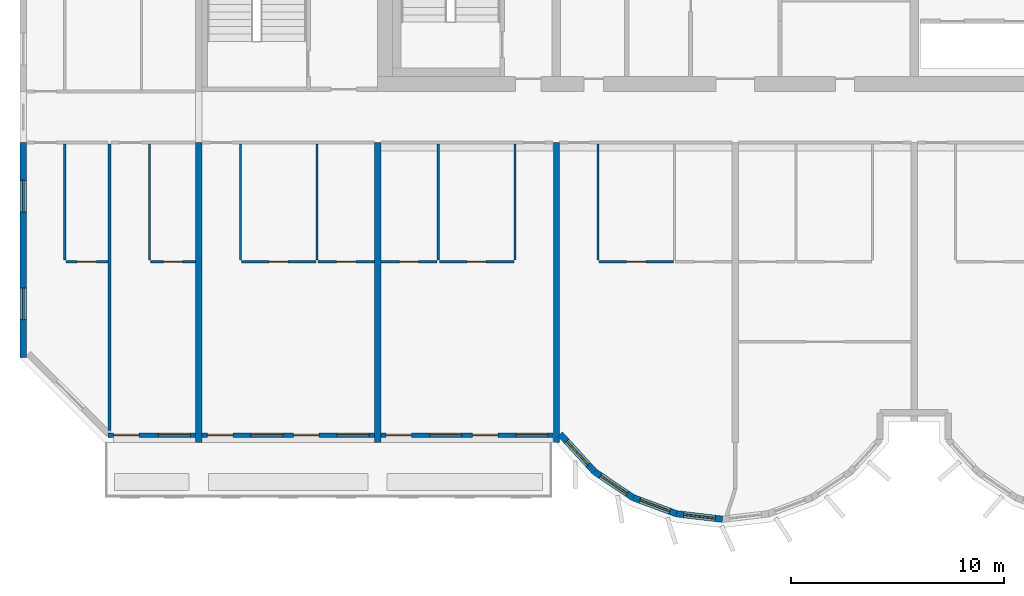
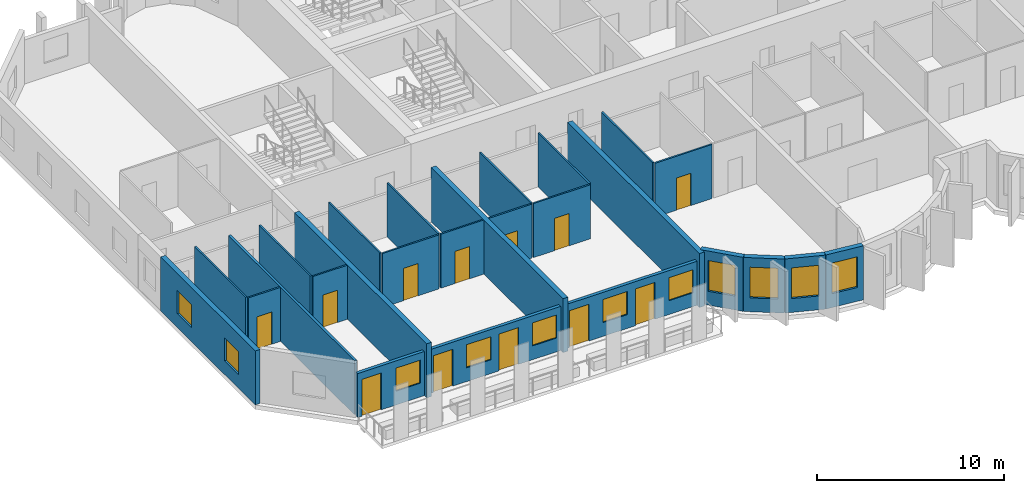
# One storey, part 2 of 13: 26 walls, 12 doors, 11 windows, 23 openings.
"""IFC4 building model written with IfcOpenShell, lengths in metres."""

from ifc_helpers import new_model, si_unit, direction, frame, frame_2d, origin, place, context, subcontext, project, spatial, rectangle, extrude, source, transform, mapped, material, layer, layer_set, type_object, element, fill, save


model = new_model("IFC4")

# Units and contexts
model_context = context("Model", 3, precision=1e-05, world=origin(), true_north=direction((0.0, 1.0)))
body_context = subcontext(model_context, "Body", "Model", "MODEL_VIEW")
ifc_project = project(units=[si_unit("LENGTHUNIT", "METRE"), si_unit("AREAUNIT", "SQUARE_METRE"), si_unit("VOLUMEUNIT", "CUBIC_METRE"), si_unit("PLANEANGLEUNIT", "RADIAN"), si_unit("MASSUNIT", "GRAM", prefix="KILO")], contexts=[model_context])

# Site, building, storey
site_placement = place(None, origin())
site = spatial("IfcSite", under=ifc_project, at=site_placement, CompositionType="ELEMENT")
building_placement = place(site_placement, origin())
building = spatial("IfcBuilding", under=site, at=building_placement, Name="Vanashikhar Sky Hotel", CompositionType="ELEMENT")
storey_placement = place(building_placement, frame((0.0, 0.0, 185.800048828125)))
storey = spatial("IfcBuildingStorey", under=building, at=storey_placement, Name="L45", CompositionType="ELEMENT", Elevation=185.800048828125)

# Wall, openings, windows
ifc_material_1 = material(Name="Concrete M60", Category="concrete")
ifc_layer_1 = layer(ifc_material_1, 0.300048828125)
ifc_layer_set_1 = layer_set([ifc_layer_1], Name="RC shear wall 300 Concrete M60")
wall_type_1 = type_object("IfcWallType", Name="RC shear wall 300 Concrete M60", PredefinedType="SHEAR", material=ifc_layer_set_1)
shared_shape_1 = source(origin(), body_context, "Body", "SweptSolid", [
    extrude(rectangle(XDim=10.10009765625, YDim=0.300048828125, at=frame_2d((5.050048828125, 0.0))), origin(), (0.0, 0.0, 1.0), 3.52001953125),
])
wall_1_placement = place(storey_placement, frame((8.550048828125, 9.5, 0.0), z_axis=(0.0, 0.0, 1.0), x_axis=(0.0, 1.0, 0.0)))
wall_1 = element("IfcWall", 1, at=wall_1_placement, inside=storey, type_object=wall_type_1, Name="CW-L45-XW02-1", PredefinedType="SHEAR", context=body_context, shape_type="MappedRepresentation", body=[
    mapped(shared_shape_1, transform((0.0, 0.0, 0.0), scale=1.0)),
])
shared_shape_2 = source(origin(), body_context, "Body", "SweptSolid", [
    extrude(rectangle(XDim=1.5, YDim=1.5, at=frame_2d((0.75, 0.75))), frame((0.0, 0.16015625, 0.0), z_axis=(0.0, -1.0, 0.0), x_axis=(1.0, 0.0, 0.0)), (0.0, 0.0, 1.0), 0.320068359375),
])
opening_1_placement = place(wall_1_placement, frame((1.77490234375, 0.0, 0.89990234375)))
opening_1 = element("IfcOpeningElement", 2, at=opening_1_placement, cuts=wall_1, Name="Opening WN-1", PredefinedType="OPENING", context=body_context, shape_type="MappedRepresentation", body=[
    mapped(shared_shape_2, transform((0.0, 0.0, 0.0), scale=1.0)),
])
opening_2_placement = place(wall_1_placement, frame((6.824951171875, 0.0, 0.89990234375)))
opening_2 = element("IfcOpeningElement", 3, at=opening_2_placement, cuts=wall_1, Name="Opening WN-1", PredefinedType="OPENING", context=body_context, shape_type="MappedRepresentation", body=[
    mapped(shared_shape_2, transform((0.0, 0.0, 0.0), scale=1.0)),
])
ifc_material_2 = material(Name="Glass", Category="glass")
window_type_1 = type_object("IfcWindowType", Name="Window 1500 x 1500", PartitioningType="SINGLE_PANEL", PredefinedType="WINDOW", material=ifc_material_2)
shared_shape_3 = source(origin(), body_context, "Body", "SweptSolid", [
    extrude(rectangle(XDim=1.5, YDim=1.5, at=frame_2d((0.75, 0.75))), frame((0.0, 0.030029296875, 0.0), z_axis=(0.0, -1.0, 0.0), x_axis=(1.0, 0.0, 0.0)), (0.0, 0.0, 1.0), 0.06005859375),
])
window_1_placement = place(opening_1_placement, origin())
window_1 = element("IfcWindow", 4, at=window_1_placement, inside=storey, type_object=window_type_1, Name="Window WN-1", OverallHeight=1.5, OverallWidth=1.5, PartitioningType="SINGLE_PANEL", PredefinedType="WINDOW", context=body_context, shape_type="MappedRepresentation", body=[
    mapped(shared_shape_3, transform((0.0, 0.0, 0.0), scale=1.0)),
])
fill(opening_1, window_1)
window_2_placement = place(opening_2_placement, origin())
window_2 = element("IfcWindow", 5, at=window_2_placement, inside=storey, type_object=window_type_1, Name="Window WN-1", OverallHeight=1.5, OverallWidth=1.5, PartitioningType="SINGLE_PANEL", PredefinedType="WINDOW", context=body_context, shape_type="MappedRepresentation", body=[
    mapped(shared_shape_3, transform((0.0, 0.0, 0.0), scale=1.0)),
])
fill(opening_2, window_2)

# Walls
shared_shape_4 = source(origin(), body_context, "Body", "SweptSolid", [
    extrude(rectangle(XDim=14.10009765625, YDim=0.300048828125, at=frame_2d((7.050048828125, 0.0))), origin(), (0.0, 0.0, 1.0), 3.52001953125),
])
for number, where, z_axis, x_axis, name in (
    (6, (16.800048828125, 5.5, 0.0), (0.0, 0.0, 1.0), (0.0, 1.0, 0.0), "CW-L45-XW03-1"),
    (7, (25.199951171875, 5.5, 0.0), (0.0, 0.0, 1.0), (0.0, 1.0, 0.0), "CW-L45-XW04-1"),
    (8, (33.60009765625, 5.5, 0.0), (0.0, 0.0, 1.0), (0.0, 1.0, 0.0), "CW-L45-XW05-1"),
):
    element("IfcWall", number, at=place(storey_placement, frame(where, z_axis=z_axis, x_axis=x_axis)), inside=storey, type_object=wall_type_1, Name=name, PredefinedType="SHEAR", context=body_context, shape_type="MappedRepresentation", body=[
        mapped(shared_shape_4, transform((0.0, 0.0, 0.0), scale=1.0)),
    ])

# Wall, opening, window
ifc_material_3 = material(Name="Concrete M50", Category="concrete")
ifc_layer_2 = layer(ifc_material_3, 0.300048828125)
ifc_layer_set_2 = layer_set([ifc_layer_2], Name="Lobe wall 300")
wall_type_2 = type_object("IfcWallType", Name="Lobe wall 300", PredefinedType="SOLIDWALL", material=ifc_layer_set_2)
shared_shape_5 = source(origin(), body_context, "Body", "SweptSolid", [
    extrude(rectangle(XDim=2.398193359375, YDim=0.300048828125, at=frame_2d((1.19921875, 0.0))), origin(), (0.0, 0.0, 1.0), 3.52001953125),
])
wall_2_placement = place(storey_placement, frame((33.776123046875, 5.89990234375, 0.0), z_axis=(0.0, 0.0, 1.0), x_axis=(0.675374189419, -0.737475222815, 0.0)))
wall_2 = element("IfcWall", 9, at=wall_2_placement, inside=storey, type_object=wall_type_2, Name="Lobe wall", PredefinedType="SOLIDWALL", context=body_context, shape_type="MappedRepresentation", body=[
    mapped(shared_shape_5, transform((0.0, 0.0, 0.0), scale=1.0)),
])
shared_shape_6 = source(origin(), body_context, "Body", "SweptSolid", [
    extrude(rectangle(XDim=1.5, YDim=2.0, at=frame_2d((0.75, 1.0))), frame((0.0, 0.16015625, 0.0), z_axis=(0.0, -1.0, 0.0), x_axis=(1.0, 0.0, 0.0)), (0.0, 0.0, 1.0), 0.320068359375),
])
opening_3_placement = place(wall_2_placement, frame((0.44921875, 0.0, 0.89990234375)))
opening_3 = element("IfcOpeningElement", 10, at=opening_3_placement, cuts=wall_2, Name="Opening WN-2", PredefinedType="OPENING", context=body_context, shape_type="MappedRepresentation", body=[
    mapped(shared_shape_6, transform((0.0, 0.0, 0.0), scale=1.0)),
])
window_type_2 = type_object("IfcWindowType", Name="Lobe window 1500 x 2000", PartitioningType="SINGLE_PANEL", PredefinedType="WINDOW", material=ifc_material_2)
shared_shape_7 = source(origin(), body_context, "Body", "SweptSolid", [
    extrude(rectangle(XDim=1.5, YDim=2.0, at=frame_2d((0.75, 1.0))), frame((0.0, 0.030029296875, 0.0), z_axis=(0.0, -1.0, 0.0), x_axis=(1.0, 0.0, 0.0)), (0.0, 0.0, 1.0), 0.06005859375),
])
window_3_placement = place(opening_3_placement, origin())
window_3 = element("IfcWindow", 11, at=window_3_placement, inside=storey, type_object=window_type_2, Name="Window WN-2", OverallHeight=2.0, OverallWidth=1.5, PartitioningType="SINGLE_PANEL", PredefinedType="WINDOW", context=body_context, shape_type="MappedRepresentation", body=[
    mapped(shared_shape_7, transform((0.0, 0.0, 0.0), scale=1.0)),
])
fill(opening_3, window_3)

shared_shape_8 = source(origin(), body_context, "Body", "SweptSolid", [
    extrude(rectangle(XDim=2.17578125, YDim=0.300048828125, at=frame_2d((1.087890625, 0.0))), origin(), (0.0, 0.0, 1.0), 3.52001953125),
])
wall_3_placement = place(storey_placement, frame((35.395751953125, 4.13134765625, 0.0), z_axis=(0.0, 0.0, 1.0), x_axis=(0.829590746428, -0.558371913192, 0.0)))
wall_3 = element("IfcWall", 12, at=wall_3_placement, inside=storey, type_object=wall_type_2, Name="Lobe wall", PredefinedType="SOLIDWALL", context=body_context, shape_type="MappedRepresentation", body=[
    mapped(shared_shape_8, transform((0.0, 0.0, 0.0), scale=1.0)),
])
opening_4_placement = place(wall_3_placement, frame((0.337890625, 0.0, 0.89990234375)))
opening_4 = element("IfcOpeningElement", 13, at=opening_4_placement, cuts=wall_3, Name="Opening WN-2", PredefinedType="OPENING", context=body_context, shape_type="MappedRepresentation", body=[
    mapped(shared_shape_6, transform((0.0, 0.0, 0.0), scale=1.0)),
])
window_4_placement = place(opening_4_placement, origin())
window_4 = element("IfcWindow", 14, at=window_4_placement, inside=storey, type_object=window_type_2, Name="Window WN-2", OverallHeight=2.0, OverallWidth=1.5, PartitioningType="SINGLE_PANEL", PredefinedType="WINDOW", context=body_context, shape_type="MappedRepresentation", body=[
    mapped(shared_shape_7, transform((0.0, 0.0, 0.0), scale=1.0)),
])
fill(opening_4, window_4)

wall_4_placement = place(storey_placement, frame((37.20068359375, 2.91650390625, 0.0), z_axis=(0.0, 0.0, 1.0), x_axis=(0.93754555999, -0.347862505801, 0.0)))
wall_4 = element("IfcWall", 15, at=wall_4_placement, inside=storey, type_object=wall_type_2, Name="Lobe wall", PredefinedType="SOLIDWALL", context=body_context, shape_type="MappedRepresentation", body=[
    mapped(shared_shape_8, transform((0.0, 0.0, 0.0), scale=1.0)),
])
opening_5_placement = place(wall_4_placement, frame((0.337890625, 0.0, 0.89990234375)))
opening_5 = element("IfcOpeningElement", 16, at=opening_5_placement, cuts=wall_4, Name="Opening WN-2", PredefinedType="OPENING", context=body_context, shape_type="MappedRepresentation", body=[
    mapped(shared_shape_6, transform((0.0, 0.0, 0.0), scale=1.0)),
])
window_5_placement = place(opening_5_placement, origin())
window_5 = element("IfcWindow", 17, at=window_5_placement, inside=storey, type_object=window_type_2, Name="Window WN-2", OverallHeight=2.0, OverallWidth=1.5, PartitioningType="SINGLE_PANEL", PredefinedType="WINDOW", context=body_context, shape_type="MappedRepresentation", body=[
    mapped(shared_shape_7, transform((0.0, 0.0, 0.0), scale=1.0)),
])
fill(opening_5, window_5)

shared_shape_9 = source(origin(), body_context, "Body", "SweptSolid", [
    extrude(rectangle(XDim=2.174560546875, YDim=0.300048828125, at=frame_2d((1.08740234375, 0.0))), origin(), (0.0, 0.0, 1.0), 3.52001953125),
])
wall_5_placement = place(storey_placement, frame((39.240478515625, 2.15966796875, 0.0), z_axis=(0.0, 0.0, 1.0), x_axis=(0.993001132889, -0.118104826659, 0.0)))
wall_5 = element("IfcWall", 18, at=wall_5_placement, inside=storey, type_object=wall_type_2, Name="Lobe wall", PredefinedType="SOLIDWALL", context=body_context, shape_type="MappedRepresentation", body=[
    mapped(shared_shape_9, transform((0.0, 0.0, 0.0), scale=1.0)),
])
opening_6_placement = place(wall_5_placement, frame((0.33740234375, 0.0, 0.89990234375)))
opening_6 = element("IfcOpeningElement", 19, at=opening_6_placement, cuts=wall_5, Name="Opening WN-2", PredefinedType="OPENING", context=body_context, shape_type="MappedRepresentation", body=[
    mapped(shared_shape_6, transform((0.0, 0.0, 0.0), scale=1.0)),
])
window_6_placement = place(opening_6_placement, origin())
window_6 = element("IfcWindow", 20, at=window_6_placement, inside=storey, type_object=window_type_2, Name="Window WN-2", OverallHeight=2.0, OverallWidth=1.5, PartitioningType="SINGLE_PANEL", PredefinedType="WINDOW", context=body_context, shape_type="MappedRepresentation", body=[
    mapped(shared_shape_7, transform((0.0, 0.0, 0.0), scale=1.0)),
])
fill(opening_6, window_6)

# Wall, openings, window, door
ifc_layer_3 = layer(ifc_material_3, 0.199951171875)
ifc_layer_set_3 = layer_set([ifc_layer_3], Name="Front window wall 200")
wall_type_3 = type_object("IfcWallType", Name="Front window wall 200", PredefinedType="SOLIDWALL", material=ifc_layer_set_3)
shared_shape_10 = source(origin(), body_context, "Body", "SweptSolid", [
    extrude(rectangle(XDim=4.10498046875, YDim=0.199951171875, at=frame_2d((2.052490234375, 0.0))), origin(), (0.0, 0.0, 1.0), 2.869873046875),
])
wall_6_placement = place(storey_placement, frame((12.544921875, 5.85009765625, 0.0), z_axis=(0.0, 0.0, 1.0), x_axis=(1.0, 0.0, 0.0)))
wall_6 = element("IfcWall", 21, at=wall_6_placement, inside=storey, type_object=wall_type_3, Name="Front window wall", PredefinedType="SOLIDWALL", context=body_context, shape_type="MappedRepresentation", body=[
    mapped(shared_shape_10, transform((0.0, 0.0, 0.0), scale=1.0)),
])
shared_shape_11 = source(origin(), body_context, "Body", "SweptSolid", [
    extrude(rectangle(XDim=1.199951171875, YDim=2.39990234375, at=frame_2d((0.60009765625, 1.199951171875))), frame((0.0, 0.10986328125, 0.0), z_axis=(0.0, -1.0, 0.0), x_axis=(1.0, 0.0, 0.0)), (0.0, 0.0, 1.0), 0.219970703125),
])
opening_7_placement = place(wall_6_placement, frame((0.25, 0.0, 0.0)))
opening_7 = element("IfcOpeningElement", 22, at=opening_7_placement, cuts=wall_6, Name="Opening BD-01", PredefinedType="OPENING", context=body_context, shape_type="MappedRepresentation", body=[
    mapped(shared_shape_11, transform((0.0, 0.0, 0.0), scale=1.0)),
])
shared_shape_12 = source(origin(), body_context, "Body", "SweptSolid", [
    extrude(rectangle(XDim=1.5, YDim=1.5, at=frame_2d((0.75, 0.75))), frame((0.0, 0.10986328125, 0.0), z_axis=(0.0, -1.0, 0.0), x_axis=(1.0, 0.0, 0.0)), (0.0, 0.0, 1.0), 0.219970703125),
])
opening_8_placement = place(wall_6_placement, frame((2.35498046875, 0.0, 0.89990234375)))
opening_8 = element("IfcOpeningElement", 23, at=opening_8_placement, cuts=wall_6, Name="Opening WN-1", PredefinedType="OPENING", context=body_context, shape_type="MappedRepresentation", body=[
    mapped(shared_shape_12, transform((0.0, 0.0, 0.0), scale=1.0)),
])
window_7_placement = place(opening_8_placement, origin())
window_7 = element("IfcWindow", 24, at=window_7_placement, inside=storey, type_object=window_type_1, Name="Window WN-1", OverallHeight=1.5, OverallWidth=1.5, PartitioningType="SINGLE_PANEL", PredefinedType="WINDOW", context=body_context, shape_type="MappedRepresentation", body=[
    mapped(shared_shape_3, transform((0.0, 0.0, 0.0), scale=1.0)),
])
fill(opening_8, window_7)
ifc_material_4 = material(Name="Aluminium", Category="aluminium")
door_type_1 = type_object("IfcDoorType", Name="Balcony sliding door 1200 x 2400", OperationType="NOTDEFINED", PredefinedType="DOOR", material=ifc_material_4)
shared_shape_13 = source(origin(), body_context, "Body", "SweptSolid", [
    extrude(rectangle(XDim=1.199951171875, YDim=2.39990234375, at=frame_2d((0.60009765625, 1.199951171875))), frame((0.0, 0.02490234375, 0.0), z_axis=(0.0, -1.0, 0.0), x_axis=(1.0, 0.0, 0.0)), (0.0, 0.0, 1.0), 0.050048828125),
])
door_1_placement = place(opening_7_placement, origin())
door_1 = element("IfcDoor", 25, at=door_1_placement, inside=storey, type_object=door_type_1, Name="Balcony sliding door", OperationType="SLIDING_TO_LEFT", OverallHeight=2.39990234375, OverallWidth=1.199951171875, PredefinedType="DOOR", context=body_context, shape_type="MappedRepresentation", body=[
    mapped(shared_shape_13, transform((0.0, 0.0, 0.0), scale=1.0)),
])
fill(opening_7, door_1)

# Wall, openings, windows, doors
shared_shape_14 = source(origin(), body_context, "Body", "SweptSolid", [
    extrude(rectangle(XDim=8.10009765625, YDim=0.199951171875, at=frame_2d((4.050048828125, 0.0))), origin(), (0.0, 0.0, 1.0), 2.869873046875),
])
wall_7_placement = place(storey_placement, frame((16.949951171875, 5.85009765625, 0.0), z_axis=(0.0, 0.0, 1.0), x_axis=(1.0, 0.0, 0.0)))
wall_7 = element("IfcWall", 26, at=wall_7_placement, inside=storey, type_object=wall_type_3, Name="Front window wall", PredefinedType="SOLIDWALL", context=body_context, shape_type="MappedRepresentation", body=[
    mapped(shared_shape_14, transform((0.0, 0.0, 0.0), scale=1.0)),
])
opening_9_placement = place(wall_7_placement, frame((0.25, 0.0, 0.0)))
opening_9 = element("IfcOpeningElement", 27, at=opening_9_placement, cuts=wall_7, Name="Opening BD-02", PredefinedType="OPENING", context=body_context, shape_type="MappedRepresentation", body=[
    mapped(shared_shape_11, transform((0.0, 0.0, 0.0), scale=1.0)),
])
opening_10_placement = place(wall_7_placement, frame((2.300048828125, 0.0, 0.89990234375)))
opening_10 = element("IfcOpeningElement", 28, at=opening_10_placement, cuts=wall_7, Name="Opening WN-1", PredefinedType="OPENING", context=body_context, shape_type="MappedRepresentation", body=[
    mapped(shared_shape_12, transform((0.0, 0.0, 0.0), scale=1.0)),
])
opening_11_placement = place(wall_7_placement, frame((4.300048828125, 0.0, 0.0)))
opening_11 = element("IfcOpeningElement", 29, at=opening_11_placement, cuts=wall_7, Name="Opening BD-03", PredefinedType="OPENING", context=body_context, shape_type="MappedRepresentation", body=[
    mapped(shared_shape_11, transform((0.0, 0.0, 0.0), scale=1.0)),
])
opening_12_placement = place(wall_7_placement, frame((6.35009765625, 0.0, 0.89990234375)))
opening_12 = element("IfcOpeningElement", 30, at=opening_12_placement, cuts=wall_7, Name="Opening WN-1", PredefinedType="OPENING", context=body_context, shape_type="MappedRepresentation", body=[
    mapped(shared_shape_12, transform((0.0, 0.0, 0.0), scale=1.0)),
])
window_8_placement = place(opening_10_placement, origin())
window_8 = element("IfcWindow", 31, at=window_8_placement, inside=storey, type_object=window_type_1, Name="Window WN-1", OverallHeight=1.5, OverallWidth=1.5, PartitioningType="SINGLE_PANEL", PredefinedType="WINDOW", context=body_context, shape_type="MappedRepresentation", body=[
    mapped(shared_shape_3, transform((0.0, 0.0, 0.0), scale=1.0)),
])
fill(opening_10, window_8)
window_9_placement = place(opening_12_placement, origin())
window_9 = element("IfcWindow", 32, at=window_9_placement, inside=storey, type_object=window_type_1, Name="Window WN-1", OverallHeight=1.5, OverallWidth=1.5, PartitioningType="SINGLE_PANEL", PredefinedType="WINDOW", context=body_context, shape_type="MappedRepresentation", body=[
    mapped(shared_shape_3, transform((0.0, 0.0, 0.0), scale=1.0)),
])
fill(opening_12, window_9)
door_2_placement = place(opening_9_placement, origin())
door_2 = element("IfcDoor", 33, at=door_2_placement, inside=storey, type_object=door_type_1, Name="Balcony sliding door", OperationType="SLIDING_TO_RIGHT", OverallHeight=2.39990234375, OverallWidth=1.199951171875, PredefinedType="DOOR", context=body_context, shape_type="MappedRepresentation", body=[
    mapped(shared_shape_13, transform((0.0, 0.0, 0.0), scale=1.0)),
])
fill(opening_9, door_2)
door_3_placement = place(opening_11_placement, origin())
door_3 = element("IfcDoor", 34, at=door_3_placement, inside=storey, type_object=door_type_1, Name="Balcony sliding door", OperationType="SLIDING_TO_LEFT", OverallHeight=2.39990234375, OverallWidth=1.199951171875, PredefinedType="DOOR", context=body_context, shape_type="MappedRepresentation", body=[
    mapped(shared_shape_13, transform((0.0, 0.0, 0.0), scale=1.0)),
])
fill(opening_11, door_3)

shared_shape_15 = source(origin(), body_context, "Body", "SweptSolid", [
    extrude(rectangle(XDim=8.099853515625, YDim=0.199951171875, at=frame_2d((4.0498046875, 0.0))), origin(), (0.0, 0.0, 1.0), 2.869873046875),
])
wall_8_placement = place(storey_placement, frame((25.35009765625, 5.85009765625, 0.0), z_axis=(0.0, 0.0, 1.0), x_axis=(1.0, 0.0, 0.0)))
wall_8 = element("IfcWall", 35, at=wall_8_placement, inside=storey, type_object=wall_type_3, Name="Front window wall", PredefinedType="SOLIDWALL", context=body_context, shape_type="MappedRepresentation", body=[
    mapped(shared_shape_15, transform((0.0, 0.0, 0.0), scale=1.0)),
])
opening_13_placement = place(wall_8_placement, frame((0.25, 0.0, 0.0)))
opening_13 = element("IfcOpeningElement", 36, at=opening_13_placement, cuts=wall_8, Name="Opening BD-04", PredefinedType="OPENING", context=body_context, shape_type="MappedRepresentation", body=[
    mapped(shared_shape_11, transform((0.0, 0.0, 0.0), scale=1.0)),
])
opening_14_placement = place(wall_8_placement, frame((2.300048828125, 0.0, 0.89990234375)))
opening_14 = element("IfcOpeningElement", 37, at=opening_14_placement, cuts=wall_8, Name="Opening WN-1", PredefinedType="OPENING", context=body_context, shape_type="MappedRepresentation", body=[
    mapped(shared_shape_12, transform((0.0, 0.0, 0.0), scale=1.0)),
])
opening_15_placement = place(wall_8_placement, frame((4.300048828125, 0.0, 0.0)))
opening_15 = element("IfcOpeningElement", 38, at=opening_15_placement, cuts=wall_8, Name="Opening BD-05", PredefinedType="OPENING", context=body_context, shape_type="MappedRepresentation", body=[
    mapped(shared_shape_11, transform((0.0, 0.0, 0.0), scale=1.0)),
])
opening_16_placement = place(wall_8_placement, frame((6.35009765625, 0.0, 0.89990234375)))
opening_16 = element("IfcOpeningElement", 39, at=opening_16_placement, cuts=wall_8, Name="Opening WN-1", PredefinedType="OPENING", context=body_context, shape_type="MappedRepresentation", body=[
    mapped(shared_shape_12, transform((0.0, 0.0, 0.0), scale=1.0)),
])
window_10_placement = place(opening_14_placement, origin())
window_10 = element("IfcWindow", 40, at=window_10_placement, inside=storey, type_object=window_type_1, Name="Window WN-1", OverallHeight=1.5, OverallWidth=1.5, PartitioningType="SINGLE_PANEL", PredefinedType="WINDOW", context=body_context, shape_type="MappedRepresentation", body=[
    mapped(shared_shape_3, transform((0.0, 0.0, 0.0), scale=1.0)),
])
fill(opening_14, window_10)
window_11_placement = place(opening_16_placement, origin())
window_11 = element("IfcWindow", 41, at=window_11_placement, inside=storey, type_object=window_type_1, Name="Window WN-1", OverallHeight=1.5, OverallWidth=1.5, PartitioningType="SINGLE_PANEL", PredefinedType="WINDOW", context=body_context, shape_type="MappedRepresentation", body=[
    mapped(shared_shape_3, transform((0.0, 0.0, 0.0), scale=1.0)),
])
fill(opening_16, window_11)
door_4_placement = place(opening_13_placement, origin())
door_4 = element("IfcDoor", 42, at=door_4_placement, inside=storey, type_object=door_type_1, Name="Balcony sliding door", OperationType="SLIDING_TO_RIGHT", OverallHeight=2.39990234375, OverallWidth=1.199951171875, PredefinedType="DOOR", context=body_context, shape_type="MappedRepresentation", body=[
    mapped(shared_shape_13, transform((0.0, 0.0, 0.0), scale=1.0)),
])
fill(opening_13, door_4)
door_5_placement = place(opening_15_placement, origin())
door_5 = element("IfcDoor", 43, at=door_5_placement, inside=storey, type_object=door_type_1, Name="Balcony sliding door", OperationType="SLIDING_TO_LEFT", OverallHeight=2.39990234375, OverallWidth=1.199951171875, PredefinedType="DOOR", context=body_context, shape_type="MappedRepresentation", body=[
    mapped(shared_shape_13, transform((0.0, 0.0, 0.0), scale=1.0)),
])
fill(opening_15, door_5)

# Wall, opening, door
ifc_material_5 = material(Name="Gypsum plasterboard partition")
ifc_layer_4 = layer(ifc_material_5, 0.10009765625)
ifc_layer_set_4 = layer_set([ifc_layer_4], Name="Wet room partition 100")
wall_type_4 = type_object("IfcWallType", Name="Wet room partition 100", PredefinedType="PARTITIONING", material=ifc_layer_set_4)
shared_shape_16 = source(origin(), body_context, "Body", "SweptSolid", [
    extrude(rectangle(XDim=3.5, YDim=0.10009765625, at=frame_2d((1.75, 0.0))), origin(), (0.0, 0.0, 1.0), 3.52001953125),
])
wall_9_placement = place(storey_placement, frame((18.800048828125, 14.0, 0.0), z_axis=(0.0, 0.0, 1.0), x_axis=(1.0, 0.0, 0.0)))
wall_9 = element("IfcWall", 44, at=wall_9_placement, inside=storey, type_object=wall_type_4, Name="W-L45-PW010", PredefinedType="PARTITIONING", context=body_context, shape_type="MappedRepresentation", body=[
    mapped(shared_shape_16, transform((0.0, 0.0, 0.0), scale=1.0)),
])
shared_shape_17 = source(origin(), body_context, "Body", "SweptSolid", [
    extrude(rectangle(XDim=0.89990234375, YDim=2.10009765625, at=frame_2d((0.449951171875, 1.050048828125))), frame((0.0, 0.06005859375, 0.0), z_axis=(0.0, -1.0, 0.0), x_axis=(1.0, 0.0, 0.0)), (0.0, 0.0, 1.0), 0.1201171875),
])
opening_17_placement = place(wall_9_placement, frame((1.300048828125, 0.0, 0.0)))
opening_17 = element("IfcOpeningElement", 45, at=opening_17_placement, cuts=wall_9, Name="Opening D-02", PredefinedType="OPENING", context=body_context, shape_type="MappedRepresentation", body=[
    mapped(shared_shape_17, transform((0.0, 0.0, 0.0), scale=1.0)),
])
ifc_material_6 = material(Name="Timber door", Category="wood")
door_type_2 = type_object("IfcDoorType", Name="Internal door 900", OperationType="NOTDEFINED", PredefinedType="DOOR", material=ifc_material_6)
shared_shape_18 = source(origin(), body_context, "Body", "SweptSolid", [
    extrude(rectangle(XDim=0.89990234375, YDim=2.10009765625, at=frame_2d((0.449951171875, 1.050048828125))), frame((0.0, 0.02490234375, 0.0), z_axis=(0.0, -1.0, 0.0), x_axis=(1.0, 0.0, 0.0)), (0.0, 0.0, 1.0), 0.050048828125),
])
door_6_placement = place(opening_17_placement, origin())
door_6 = element("IfcDoor", 46, at=door_6_placement, inside=storey, type_object=door_type_2, Name="D-L45-005", OperationType="SINGLE_SWING_LEFT", OverallHeight=2.10009765625, OverallWidth=0.89990234375, PredefinedType="DOOR", context=body_context, shape_type="MappedRepresentation", body=[
    mapped(shared_shape_18, transform((0.0, 0.0, 0.0), scale=1.0)),
])
fill(opening_17, door_6)

wall_10_placement = place(storey_placement, frame((28.10009765625, 14.0, 0.0), z_axis=(0.0, 0.0, 1.0), x_axis=(1.0, 0.0, 0.0)))
wall_10 = element("IfcWall", 47, at=wall_10_placement, inside=storey, type_object=wall_type_4, Name="W-L45-PW015", PredefinedType="PARTITIONING", context=body_context, shape_type="MappedRepresentation", body=[
    mapped(shared_shape_16, transform((0.0, 0.0, 0.0), scale=1.0)),
])
opening_18_placement = place(wall_10_placement, frame((1.300048828125, 0.0, 0.0)))
opening_18 = element("IfcOpeningElement", 48, at=opening_18_placement, cuts=wall_10, Name="Opening D-02", PredefinedType="OPENING", context=body_context, shape_type="MappedRepresentation", body=[
    mapped(shared_shape_17, transform((0.0, 0.0, 0.0), scale=1.0)),
])
door_7_placement = place(opening_18_placement, origin())
door_7 = element("IfcDoor", 49, at=door_7_placement, inside=storey, type_object=door_type_2, Name="D-L45-008", OperationType="SINGLE_SWING_RIGHT", OverallHeight=2.10009765625, OverallWidth=0.89990234375, PredefinedType="DOOR", context=body_context, shape_type="MappedRepresentation", body=[
    mapped(shared_shape_18, transform((0.0, 0.0, 0.0), scale=1.0)),
])
fill(opening_18, door_7)

wall_11_placement = place(storey_placement, frame((35.60009765625, 14.0, 0.0), z_axis=(0.0, 0.0, 1.0), x_axis=(1.0, 0.0, 0.0)))
wall_11 = element("IfcWall", 50, at=wall_11_placement, inside=storey, type_object=wall_type_4, Name="W-L45-PW020", PredefinedType="PARTITIONING", context=body_context, shape_type="MappedRepresentation", body=[
    mapped(shared_shape_16, transform((0.0, 0.0, 0.0), scale=1.0)),
])
opening_19_placement = place(wall_11_placement, frame((1.300048828125, 0.0, 0.0)))
opening_19 = element("IfcOpeningElement", 51, at=opening_19_placement, cuts=wall_11, Name="Opening D-02", PredefinedType="OPENING", context=body_context, shape_type="MappedRepresentation", body=[
    mapped(shared_shape_17, transform((0.0, 0.0, 0.0), scale=1.0)),
])
door_8_placement = place(opening_19_placement, origin())
door_8 = element("IfcDoor", 52, at=door_8_placement, inside=storey, type_object=door_type_2, Name="D-L45-011", OperationType="SINGLE_SWING_LEFT", OverallHeight=2.10009765625, OverallWidth=0.89990234375, PredefinedType="DOOR", context=body_context, shape_type="MappedRepresentation", body=[
    mapped(shared_shape_18, transform((0.0, 0.0, 0.0), scale=1.0)),
])
fill(opening_19, door_8)

# Walls
shared_shape_19 = source(origin(), body_context, "Body", "SweptSolid", [
    extrude(rectangle(XDim=5.449951171875, YDim=0.10009765625, at=frame_2d((2.72509765625, 0.0))), origin(), (0.0, 0.0, 1.0), 3.52001953125),
])
for number, where, z_axis, x_axis, name in (
    (53, (10.5, 14.074951171875, 0.0), (0.0, 0.0, 1.0), (0.0, 1.0, 0.0), "W-L45-PW001"),
    (54, (14.47509765625, 14.074951171875, 0.0), (0.0, 0.0, 1.0), (0.0, 1.0, 0.0), "W-L45-PW004"),
    (55, (18.75, 14.074951171875, 0.0), (0.0, 0.0, 1.0), (0.0, 1.0, 0.0), "W-L45-PW008"),
    (56, (22.35009765625, 14.074951171875, 0.0), (0.0, 0.0, 1.0), (0.0, 1.0, 0.0), "W-L45-PW009"),
    (57, (31.64990234375, 14.074951171875, 0.0), (0.0, 0.0, 1.0), (0.0, 1.0, 0.0), "W-L45-PW013"),
    (58, (28.050048828125, 14.074951171875, 0.0), (0.0, 0.0, 1.0), (0.0, 1.0, 0.0), "W-L45-PW014"),
    (59, (35.550048828125, 14.074951171875, 0.0), (0.0, 0.0, 1.0), (0.0, 1.0, 0.0), "W-L45-PW018"),
):
    element("IfcWall", number, at=place(storey_placement, frame(where, z_axis=z_axis, x_axis=x_axis)), inside=storey, type_object=wall_type_4, Name=name, PredefinedType="PARTITIONING", context=body_context, shape_type="MappedRepresentation", body=[
        mapped(shared_shape_19, transform((0.0, 0.0, 0.0), scale=1.0)),
    ])
ifc_layer_5 = layer(ifc_material_5, 0.14990234375)
ifc_layer_set_5 = layer_set([ifc_layer_5], Name="Corridor and demising partition 150")
wall_type_5 = type_object("IfcWallType", Name="Corridor and demising partition 150", PredefinedType="PARTITIONING", material=ifc_layer_set_5)
shared_shape_20 = source(origin(), body_context, "Body", "SweptSolid", [
    extrude(rectangle(XDim=13.447021484375, YDim=0.14990234375, at=frame_2d((6.7236328125, 0.0))), origin(), (0.0, 0.0, 1.0), 3.52001953125),
])
wall_12_placement = place(storey_placement, frame((12.60009765625, 6.077880859375, 0.0), z_axis=(0.0, 0.0, 1.0), x_axis=(0.0, 1.0, 0.0)))
element("IfcWall", 60, at=wall_12_placement, inside=storey, type_object=wall_type_5, Name="W-L45-PW007", PredefinedType="PARTITIONING", context=body_context, shape_type="MappedRepresentation", body=[
    mapped(shared_shape_20, transform((0.0, 0.0, 0.0), scale=1.0)),
])

# Wall, opening, door
shared_shape_21 = source(origin(), body_context, "Body", "SweptSolid", [
    extrude(rectangle(XDim=2.125, YDim=0.10009765625, at=frame_2d((1.0625, 0.0))), origin(), (0.0, 0.0, 1.0), 3.52001953125),
])
wall_13_placement = place(storey_placement, frame((14.52490234375, 14.0, 0.0), z_axis=(0.0, 0.0, 1.0), x_axis=(1.0, 0.0, 0.0)))
wall_13 = element("IfcWall", 61, at=wall_13_placement, inside=storey, type_object=wall_type_4, Name="W-L45-PW005", PredefinedType="PARTITIONING", context=body_context, shape_type="MappedRepresentation", body=[
    mapped(shared_shape_21, transform((0.0, 0.0, 0.0), scale=1.0)),
])
opening_20_placement = place(wall_13_placement, frame((0.612060546875, 0.0, 0.0)))
opening_20 = element("IfcOpeningElement", 62, at=opening_20_placement, cuts=wall_13, Name="Opening D-02", PredefinedType="OPENING", context=body_context, shape_type="MappedRepresentation", body=[
    mapped(shared_shape_17, transform((0.0, 0.0, 0.0), scale=1.0)),
])
door_9_placement = place(opening_20_placement, origin())
door_9 = element("IfcDoor", 63, at=door_9_placement, inside=storey, type_object=door_type_2, Name="D-L45-003", OperationType="SINGLE_SWING_LEFT", OverallHeight=2.10009765625, OverallWidth=0.89990234375, PredefinedType="DOOR", context=body_context, shape_type="MappedRepresentation", body=[
    mapped(shared_shape_18, transform((0.0, 0.0, 0.0), scale=1.0)),
])
fill(opening_20, door_9)

shared_shape_22 = source(origin(), body_context, "Body", "SweptSolid", [
    extrude(rectangle(XDim=2.64990234375, YDim=0.10009765625, at=frame_2d((1.324951171875, 0.0))), origin(), (0.0, 0.0, 1.0), 3.52001953125),
])
wall_14_placement = place(storey_placement, frame((25.35009765625, 14.0, 0.0), z_axis=(0.0, 0.0, 1.0), x_axis=(1.0, 0.0, 0.0)))
wall_14 = element("IfcWall", 64, at=wall_14_placement, inside=storey, type_object=wall_type_4, Name="W-L45-PW016", PredefinedType="PARTITIONING", context=body_context, shape_type="MappedRepresentation", body=[
    mapped(shared_shape_22, transform((0.0, 0.0, 0.0), scale=1.0)),
])
opening_21_placement = place(wall_14_placement, frame((0.875, 0.0, 0.0)))
opening_21 = element("IfcOpeningElement", 65, at=opening_21_placement, cuts=wall_14, Name="Opening D-02", PredefinedType="OPENING", context=body_context, shape_type="MappedRepresentation", body=[
    mapped(shared_shape_17, transform((0.0, 0.0, 0.0), scale=1.0)),
])
door_10_placement = place(opening_21_placement, origin())
door_10 = element("IfcDoor", 66, at=door_10_placement, inside=storey, type_object=door_type_2, Name="D-L45-009", OperationType="SINGLE_SWING_RIGHT", OverallHeight=2.10009765625, OverallWidth=0.89990234375, PredefinedType="DOOR", context=body_context, shape_type="MappedRepresentation", body=[
    mapped(shared_shape_18, transform((0.0, 0.0, 0.0), scale=1.0)),
])
fill(opening_21, door_10)

shared_shape_23 = source(origin(), body_context, "Body", "SweptSolid", [
    extrude(rectangle(XDim=2.650146484375, YDim=0.10009765625, at=frame_2d((1.3251953125, 0.0))), origin(), (0.0, 0.0, 1.0), 3.52001953125),
])
wall_15_placement = place(storey_placement, frame((22.39990234375, 14.0, 0.0), z_axis=(0.0, 0.0, 1.0), x_axis=(1.0, 0.0, 0.0)))
wall_15 = element("IfcWall", 67, at=wall_15_placement, inside=storey, type_object=wall_type_4, Name="W-L45-PW011", PredefinedType="PARTITIONING", context=body_context, shape_type="MappedRepresentation", body=[
    mapped(shared_shape_23, transform((0.0, 0.0, 0.0), scale=1.0)),
])
opening_22_placement = place(wall_15_placement, frame((0.875, 0.0, 0.0)))
opening_22 = element("IfcOpeningElement", 68, at=opening_22_placement, cuts=wall_15, Name="Opening D-02", PredefinedType="OPENING", context=body_context, shape_type="MappedRepresentation", body=[
    mapped(shared_shape_17, transform((0.0, 0.0, 0.0), scale=1.0)),
])
door_11_placement = place(opening_22_placement, origin())
door_11 = element("IfcDoor", 69, at=door_11_placement, inside=storey, type_object=door_type_2, Name="D-L45-006", OperationType="SINGLE_SWING_LEFT", OverallHeight=2.10009765625, OverallWidth=0.89990234375, PredefinedType="DOOR", context=body_context, shape_type="MappedRepresentation", body=[
    mapped(shared_shape_18, transform((0.0, 0.0, 0.0), scale=1.0)),
])
fill(opening_22, door_11)

shared_shape_24 = source(origin(), body_context, "Body", "SweptSolid", [
    extrude(rectangle(XDim=1.974853515625, YDim=0.10009765625, at=frame_2d((0.9873046875, 0.0))), origin(), (0.0, 0.0, 1.0), 3.52001953125),
])
wall_16_placement = place(storey_placement, frame((10.550048828125, 14.0, 0.0), z_axis=(0.0, 0.0, 1.0), x_axis=(1.0, 0.0, 0.0)))
wall_16 = element("IfcWall", 70, at=wall_16_placement, inside=storey, type_object=wall_type_4, Name="W-L45-PW002", PredefinedType="PARTITIONING", context=body_context, shape_type="MappedRepresentation", body=[
    mapped(shared_shape_24, transform((0.0, 0.0, 0.0), scale=1.0)),
])
opening_23_placement = place(wall_16_placement, frame((0.5380859375, 0.0, 0.0)))
opening_23 = element("IfcOpeningElement", 71, at=opening_23_placement, cuts=wall_16, Name="Opening D-02", PredefinedType="OPENING", context=body_context, shape_type="MappedRepresentation", body=[
    mapped(shared_shape_17, transform((0.0, 0.0, 0.0), scale=1.0)),
])
door_12_placement = place(opening_23_placement, origin())
door_12 = element("IfcDoor", 72, at=door_12_placement, inside=storey, type_object=door_type_2, Name="D-L45-001", OperationType="SINGLE_SWING_LEFT", OverallHeight=2.10009765625, OverallWidth=0.89990234375, PredefinedType="DOOR", context=body_context, shape_type="MappedRepresentation", body=[
    mapped(shared_shape_18, transform((0.0, 0.0, 0.0), scale=1.0)),
])
fill(opening_23, door_12)

save(model, "model.ifc")
